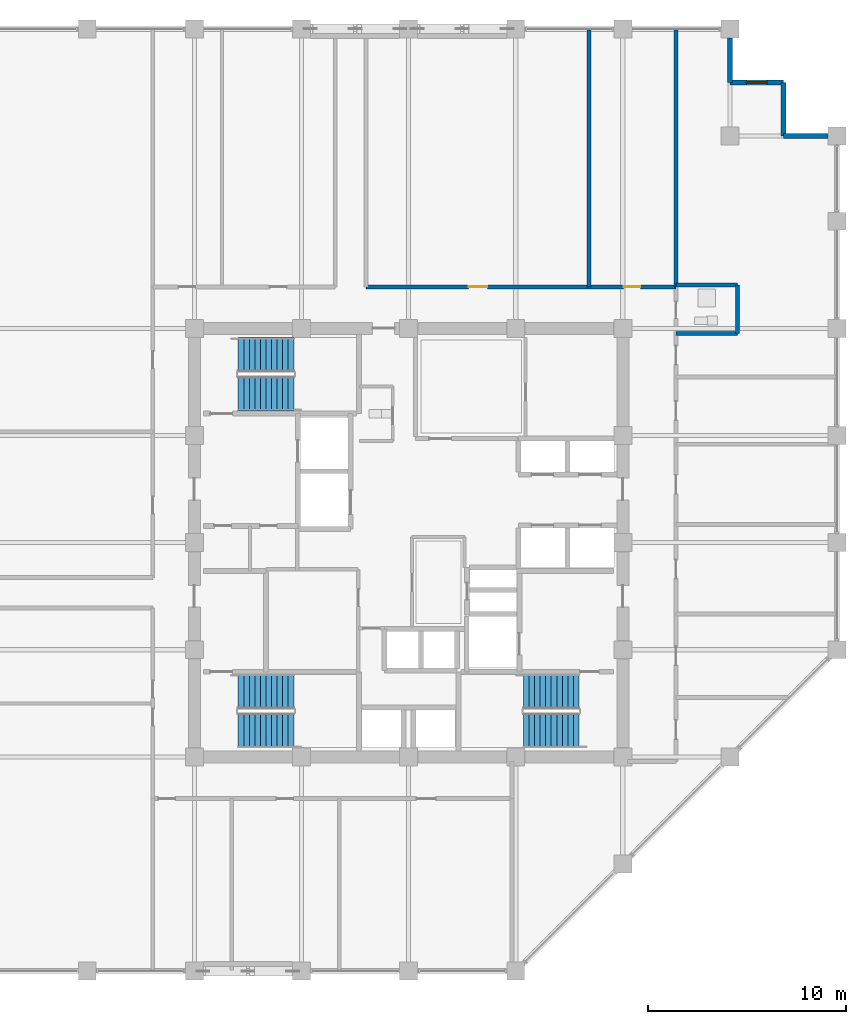
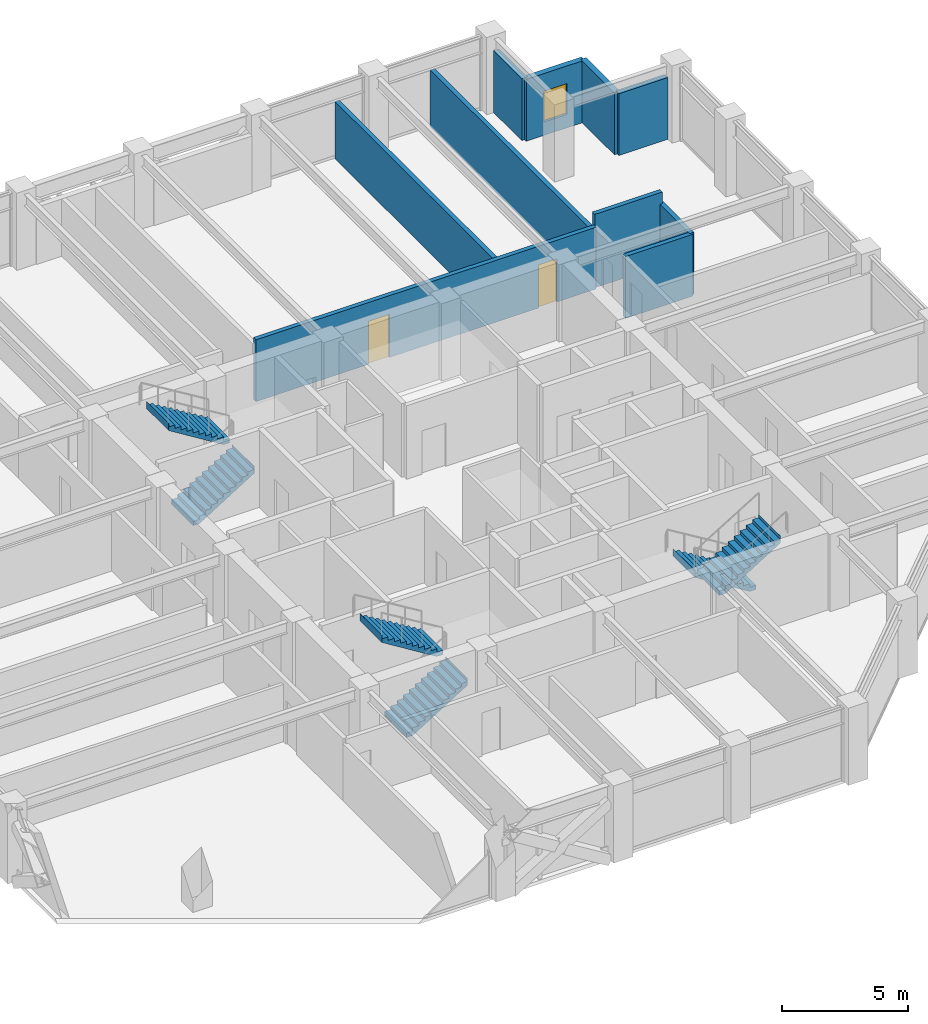
# One storey, part 30 of 32: 10 walls, 6 stair flights, 2 doors, 1 window, 3 openings, 3 elements without a shape of their own.
"""IFC4 building model written with IfcOpenShell, lengths in metres."""

from ifc_helpers import new_model, si_unit, direction, frame, frame_2d, origin, place, context, subcontext, project, spatial, polyline, rectangle, outline, extrude, material, layer, layer_set, type_object, element, fill, aggregate, save


model = new_model("IFC4")

# Units and contexts
model_context = context("Model", 3, precision=1e-05, world=origin(), true_north=direction((0.0, 1.0)))
body_context = subcontext(model_context, "Body", "Model", "MODEL_VIEW")
ifc_project = project(units=[si_unit("LENGTHUNIT", "METRE"), si_unit("AREAUNIT", "SQUARE_METRE"), si_unit("VOLUMEUNIT", "CUBIC_METRE"), si_unit("PLANEANGLEUNIT", "RADIAN"), si_unit("MASSUNIT", "GRAM", prefix="KILO")], contexts=[model_context])

# Site, building, storey
site_placement = place(None, origin())
site = spatial("IfcSite", under=ifc_project, at=site_placement, CompositionType="ELEMENT")
building_placement = place(site_placement, origin())
building = spatial("IfcBuilding", under=site, at=building_placement, Name="Surkhivell Harbour Commons", CompositionType="ELEMENT")
storey_placement = place(building_placement, frame((0.0, 0.0, 204.75)))
storey = spatial("IfcBuildingStorey", under=building, at=storey_placement, Name="L53", CompositionType="ELEMENT", Elevation=204.75)

# Walls
ifc_material_1 = material(Name="Pale-metal insulated precast concrete C45/55", Category="concrete")
ifc_layer_1 = layer(ifc_material_1, 0.260009765625)
ifc_layer_set_1 = layer_set([ifc_layer_1], Name="Pale-metal insulated precast concrete C45/55")
wall_type_1 = type_object("IfcWallType", Name="WAL-EXT-MTL260", PredefinedType="STANDARD", material=ifc_layer_set_1)
wall_1_placement = place(storey_placement, frame((21.152099609375, 20.5, 0.0), z_axis=(0.0, 0.0, 1.0), x_axis=(-1.0, 0.0, 0.0)))
element("IfcWall", 1, at=wall_1_placement, inside=storey, type_object=wall_type_1, Name="L53 Serrated Corner Facade Wall 03", PredefinedType="STANDARD", context=body_context, shape_type="SweptSolid", body=[
    extrude(rectangle(XDim=2.252197265625, YDim=0.260009765625, at=frame_2d((1.1259765625, 0.0))), origin(), (0.0, 0.0, 1.0), 3.006103515625),
])
wall_2_placement = place(storey_placement, frame((18.89990234375, 20.5, 0.0), z_axis=(0.0, 0.0, 1.0), x_axis=(0.0, 1.0, 0.0)))
element("IfcWall", 2, at=wall_2_placement, inside=storey, type_object=wall_type_1, Name="L53 Serrated Corner Facade Wall 04", PredefinedType="STANDARD", context=body_context, shape_type="SweptSolid", body=[
    extrude(rectangle(XDim=2.699951171875, YDim=0.260009765625, at=frame_2d((1.35009765625, 0.0))), origin(), (0.0, 0.0, 1.0), 3.006103515625),
])

# Wall, opening, window
wall_3_placement = place(storey_placement, frame((18.89990234375, 23.199951171875, 0.0), z_axis=(0.0, 0.0, 1.0), x_axis=(-1.0, 0.0, 0.0)))
wall_3 = element("IfcWall", 3, at=wall_3_placement, inside=storey, type_object=wall_type_1, Name="L53 Serrated Corner Facade Wall 05", PredefinedType="STANDARD", context=body_context, shape_type="SweptSolid", body=[
    extrude(rectangle(XDim=2.699951171875, YDim=0.260009765625, at=frame_2d((1.35009765625, 0.0))), origin(), (0.0, 0.0, 1.0), 3.006103515625),
])
opening_1_placement = place(wall_3_placement, frame((0.824951171875, 0.0, 0.64990234375)))
opening_1 = element("IfcOpeningElement", 4, at=opening_1_placement, cuts=wall_3, Name="Opening WN-11", PredefinedType="OPENING", context=body_context, shape_type="SweptSolid", body=[
    extrude(rectangle(XDim=1.050048828125, YDim=1.5, at=frame_2d((0.52490234375, 0.75))), frame((0.0, 0.139892578125, 0.0), z_axis=(0.0, -1.0, 0.0), x_axis=(1.0, 0.0, 0.0)), (0.0, 0.0, 1.0), 0.280029296875),
])
ifc_material_2 = material(Name="Thermal-break aluminium frame and double low-E glazing", Category="aluminium")
window_type = type_object("IfcWindowType", Name="WIN-SER-1050x1500", PartitioningType="SINGLE_PANEL", PredefinedType="WINDOW", material=ifc_material_2)
window_placement = place(opening_1_placement, origin())
window = element("IfcWindow", 5, at=window_placement, inside=storey, type_object=window_type, Name="L53 Serrated Alcove Window 05", OverallHeight=1.5, OverallWidth=1.050048828125, PartitioningType="SINGLE_PANEL", PredefinedType="WINDOW", context=body_context, shape_type="SweptSolid", body=[
    extrude(rectangle(XDim=1.050048828125, YDim=1.5, at=frame_2d((0.52490234375, 0.75))), frame((0.0, 0.030029296875, 0.0), z_axis=(0.0, -1.0, 0.0), x_axis=(1.0, 0.0, 0.0)), (0.0, 0.0, 1.0), 0.06005859375),
])
fill(opening_1, window)

# Walls
wall_4_placement = place(storey_placement, frame((16.199951171875, 23.199951171875, 0.0), z_axis=(0.0, 0.0, 1.0), x_axis=(0.0, 1.0, 0.0)))
element("IfcWall", 6, at=wall_4_placement, inside=storey, type_object=wall_type_1, Name="L53 Serrated Corner Facade Wall 06", PredefinedType="STANDARD", context=body_context, shape_type="SweptSolid", body=[
    extrude(rectangle(XDim=2.251953125, YDim=0.260009765625, at=frame_2d((1.1259765625, 0.0))), origin(), (0.0, 0.0, 1.0), 3.006103515625),
])
ifc_material_3 = material(Name="Autoclaved aerated concrete blockwork and fire plaster", Category="masonry")
ifc_layer_2 = layer(ifc_material_3, 0.199951171875)
ifc_layer_set_2 = layer_set([ifc_layer_2], Name="Autoclaved aerated concrete blockwork and fire plaster")
wall_type_2 = type_object("IfcWallType", Name="WAL-INT-200", PredefinedType="PARTITIONING", material=ifc_layer_set_2)
wall_5_placement = place(storey_placement, frame((13.47998046875, 12.89990234375, 0.0), z_axis=(0.0, 0.0, 1.0), x_axis=(0.0, 1.0, 0.0)))
element("IfcWall", 7, at=wall_5_placement, inside=storey, type_object=wall_type_2, Name="L53 North-East Corner Wall", PredefinedType="PARTITIONING", context=body_context, shape_type="SweptSolid", body=[
    extrude(rectangle(XDim=12.940185546875, YDim=0.199951171875, at=frame_2d((6.47021484375, 0.0))), origin(), (0.0, 0.0, 1.0), 2.780029296875),
])

# Wall, openings, doors
wall_6_placement = place(storey_placement, frame((-2.14990234375, 12.89990234375, 0.0), z_axis=(0.0, 0.0, 1.0), x_axis=(1.0, 0.0, 0.0)))
wall_6 = element("IfcWall", 8, at=wall_6_placement, inside=storey, type_object=wall_type_2, Name="L53 Corridor North-East Wall", PredefinedType="PARTITIONING", context=body_context, shape_type="SweptSolid", body=[
    extrude(rectangle(XDim=15.6298828125, YDim=0.199951171875, at=frame_2d((7.81494140625, 0.0))), origin(), (0.0, 0.0, 1.0), 3.006103515625),
])
opening_2_placement = place(wall_6_placement, frame((5.175048828125, 0.0, 0.0)))
opening_2 = element("IfcOpeningElement", 9, at=opening_2_placement, cuts=wall_6, Name="Opening ID-4", PredefinedType="OPENING", context=body_context, shape_type="SweptSolid", body=[
    extrude(rectangle(XDim=0.949951171875, YDim=2.10009765625, at=frame_2d((0.47509765625, 1.050048828125))), frame((0.0, 0.10986328125, 0.0), z_axis=(0.0, -1.0, 0.0), x_axis=(1.0, 0.0, 0.0)), (0.0, 0.0, 1.0), 0.219970703125),
])
opening_3_placement = place(wall_6_placement, frame((12.989990234375, 0.0, 0.0)))
opening_3 = element("IfcOpeningElement", 10, at=opening_3_placement, cuts=wall_6, Name="Opening ID-6", PredefinedType="OPENING", context=body_context, shape_type="SweptSolid", body=[
    extrude(rectangle(XDim=0.85009765625, YDim=2.10009765625, at=frame_2d((0.425048828125, 1.050048828125))), frame((0.0, 0.10986328125, 0.0), z_axis=(0.0, -1.0, 0.0), x_axis=(1.0, 0.0, 0.0)), (0.0, 0.0, 1.0), 0.219970703125),
])
ifc_material_4 = material(Name="Hardwood-veneered fire-rated door leaf", Category="wood")
door_type_1 = type_object("IfcDoorType", Name="DOR-FD30-850", OperationType="NOTDEFINED", PredefinedType="DOOR", material=ifc_material_4)
door_1_placement = place(opening_3_placement, origin())
door_1 = element("IfcDoor", 11, at=door_1_placement, inside=storey, type_object=door_type_1, Name="L53 Resident Advisory Reception Desk North-East Door", OperationType="SINGLE_SWING_RIGHT", OverallHeight=2.10009765625, OverallWidth=0.85009765625, PredefinedType="DOOR", context=body_context, shape_type="SweptSolid", body=[
    extrude(rectangle(XDim=0.85009765625, YDim=2.10009765625, at=frame_2d((0.425048828125, 1.050048828125))), frame((0.0, 0.02490234375, 0.0), z_axis=(0.0, -1.0, 0.0), x_axis=(1.0, 0.0, 0.0)), (0.0, 0.0, 1.0), 0.050048828125),
])
fill(opening_3, door_1)
door_type_2 = type_object("IfcDoorType", Name="DOR-FD60-950", OperationType="NOTDEFINED", PredefinedType="DOOR", material=ifc_material_4)
door_2_placement = place(opening_2_placement, origin())
door_2 = element("IfcDoor", 12, at=door_2_placement, inside=storey, type_object=door_type_2, Name="L53 Zone Concierge Reception Foyer North-East Door", OperationType="SINGLE_SWING_LEFT", OverallHeight=2.10009765625, OverallWidth=0.949951171875, PredefinedType="DOOR", context=body_context, shape_type="SweptSolid", body=[
    extrude(rectangle(XDim=0.949951171875, YDim=2.10009765625, at=frame_2d((0.47509765625, 1.050048828125))), frame((0.0, 0.02490234375, 0.0), z_axis=(0.0, -1.0, 0.0), x_axis=(1.0, 0.0, 0.0)), (0.0, 0.0, 1.0), 0.050048828125),
])
fill(opening_2, door_2)

# Walls
wall_7_placement = place(storey_placement, frame((16.580078125, 10.550048828125, 0.0), z_axis=(0.0, 0.0, 1.0), x_axis=(0.0, 1.0, 0.0)))
element("IfcWall", 13, at=wall_7_placement, inside=storey, type_object=wall_type_2, Name="L53 East Partition BTHB", PredefinedType="PARTITIONING", context=body_context, shape_type="SweptSolid", body=[
    extrude(rectangle(XDim=2.449951171875, YDim=0.199951171875, at=frame_2d((1.22509765625, 0.0))), origin(), (0.0, 0.0, 1.0), 3.006103515625),
])
wall_8_placement = place(storey_placement, frame((13.47998046875, 13.0, 0.0), z_axis=(0.0, 0.0, 1.0), x_axis=(1.0, 0.0, 0.0)))
element("IfcWall", 14, at=wall_8_placement, inside=storey, type_object=wall_type_2, Name="L53 East Partition BTHN", PredefinedType="PARTITIONING", context=body_context, shape_type="SweptSolid", body=[
    extrude(rectangle(XDim=3.10009765625, YDim=0.199951171875, at=frame_2d((1.550048828125, 0.0))), origin(), (0.0, 0.0, 1.0), 3.570068359375),
])
wall_9_placement = place(storey_placement, frame((13.47998046875, 10.550048828125, 0.0), z_axis=(0.0, 0.0, 1.0), x_axis=(1.0, 0.0, 0.0)))
element("IfcWall", 15, at=wall_9_placement, inside=storey, type_object=wall_type_2, Name="L53 East Partition BTHS", PredefinedType="PARTITIONING", context=body_context, shape_type="SweptSolid", body=[
    extrude(rectangle(XDim=3.10009765625, YDim=0.199951171875, at=frame_2d((1.550048828125, 0.0))), origin(), (0.0, 0.0, 1.0), 3.006103515625),
])
wall_10_placement = place(storey_placement, frame((9.10009765625, 12.89990234375, 0.0), z_axis=(0.0, 0.0, 1.0), x_axis=(0.0, 1.0, 0.0)))
element("IfcWall", 16, at=wall_10_placement, inside=storey, type_object=wall_type_2, Name="L53 North-East Partition P1", PredefinedType="PARTITIONING", context=body_context, shape_type="SweptSolid", body=[
    extrude(rectangle(XDim=12.940185546875, YDim=0.199951171875, at=frame_2d((6.47021484375, 0.0))), origin(), (0.0, 0.0, 1.0), 2.780029296875),
])

# Stair, stair flights
ifc_material_5 = material(Name="Precast concrete C45/55", Category="concrete")
stair_type = type_object("IfcStairType", Name="STR-DL-375", PredefinedType="HALF_TURN_STAIR", material=ifc_material_5)
stair_1_placement = place(storey_placement, origin())
stair_1 = element("IfcStair", 17, at=stair_1_placement, inside=storey, type_object=stair_type, Name="L53 Core Exit Stair ST1", PredefinedType="HALF_TURN_STAIR")
stair_flight_type = type_object("IfcStairFlightType", Name="STF-DL-375", PredefinedType="STRAIGHT", material=ifc_material_5)
stair_flight_1_placement = place(storey_placement, frame((-8.590087890625, 7.514892578125, 0.0), z_axis=(0.0, 0.0, 1.0), x_axis=(1.0, 0.0, 0.0)))
stair_flight_1 = element("IfcStairFlight", 18, at=stair_flight_1_placement, type_object=stair_flight_type, Name="ST1 flight 1", NumberOfRisers=11, NumberOfTreads=10, PredefinedType="STRAIGHT", RiserHeight=0.170454545, TreadLength=0.28, context=body_context, shape_type="SweptSolid", body=[
    extrude(outline(polyline([(-0.0029296875, -0.034912109375), (-0.0029296875, 0.0), (0.0, 0.0), (0.0, 0.17041015625), (0.280029296875, 0.17041015625), (0.280029296875, 0.3408203125), (0.56005859375, 0.3408203125), (0.56005859375, 0.511474609375), (0.840087890625, 0.511474609375), (0.840087890625, 0.681884765625), (1.1201171875, 0.681884765625), (1.1201171875, 0.852294921875), (1.39990234375, 0.852294921875), (1.39990234375, 1.022705078125), (1.679931640625, 1.022705078125), (1.679931640625, 1.193115234375), (1.9599609375, 1.193115234375), (1.9599609375, 1.363525390625), (2.239990234375, 1.363525390625), (2.239990234375, 1.5341796875), (2.52001953125, 1.5341796875), (2.52001953125, 1.70458984375), (2.800048828125, 1.70458984375), (2.800048828125, 1.875), (2.802978515625, 1.875), (2.802978515625, 1.529052734375), (0.288330078125, -0.034912109375), (-0.0029296875, -0.034912109375)])), frame((0.0, 0.875, 0.0), z_axis=(0.0, -1.0, 0.0), x_axis=(1.0, 0.0, 0.0)), (0.0, 0.0, 1.0), 1.75),
])
stair_flight_2_placement = place(storey_placement, frame((-5.7900390625, 9.465087890625, 1.875), z_axis=(0.0, 0.0, 1.0), x_axis=(-1.0, 0.0, 0.0)))
stair_flight_2 = element("IfcStairFlight", 19, at=stair_flight_2_placement, type_object=stair_flight_type, Name="ST1 flight 2", NumberOfRisers=11, NumberOfTreads=10, PredefinedType="STRAIGHT", RiserHeight=0.170454545, TreadLength=0.28, context=body_context, shape_type="SweptSolid", body=[
    extrude(outline(polyline([(-0.0029296875, -0.034912109375), (-0.0029296875, 0.0), (0.0, 0.0), (0.0, 0.17041015625), (0.280029296875, 0.17041015625), (0.280029296875, 0.3408203125), (0.56005859375, 0.3408203125), (0.56005859375, 0.511474609375), (0.840087890625, 0.511474609375), (0.840087890625, 0.681884765625), (1.1201171875, 0.681884765625), (1.1201171875, 0.852294921875), (1.39990234375, 0.852294921875), (1.39990234375, 1.022705078125), (1.679931640625, 1.022705078125), (1.679931640625, 1.193115234375), (1.9599609375, 1.193115234375), (1.9599609375, 1.363525390625), (2.239990234375, 1.363525390625), (2.239990234375, 1.5341796875), (2.52001953125, 1.5341796875), (2.52001953125, 1.70458984375), (2.800048828125, 1.70458984375), (2.800048828125, 1.875), (2.802978515625, 1.875), (2.802978515625, 1.529052734375), (0.288330078125, -0.034912109375), (-0.0029296875, -0.034912109375)])), frame((0.0, 0.875, 0.0), z_axis=(0.0, -1.0, 0.0), x_axis=(1.0, 0.0, 0.0)), (0.0, 0.0, 1.0), 1.75),
])
aggregate(stair_1, [stair_flight_1, stair_flight_2])

stair_2_placement = place(storey_placement, origin())
stair_2 = element("IfcStair", 20, at=stair_2_placement, inside=storey, type_object=stair_type, Name="L53 Core Exit Stair ST2", PredefinedType="HALF_TURN_STAIR")
stair_flight_3_placement = place(storey_placement, frame((8.590087890625, -7.514892578125, 0.0), z_axis=(0.0, 0.0, 1.0), x_axis=(-1.0, 0.0, 0.0)))
stair_flight_3 = element("IfcStairFlight", 21, at=stair_flight_3_placement, type_object=stair_flight_type, Name="ST2 flight 1", NumberOfRisers=11, NumberOfTreads=10, PredefinedType="STRAIGHT", RiserHeight=0.170454545, TreadLength=0.28, context=body_context, shape_type="SweptSolid", body=[
    extrude(outline(polyline([(-0.0029296875, -0.034912109375), (-0.0029296875, 0.0), (0.0, 0.0), (0.0, 0.17041015625), (0.280029296875, 0.17041015625), (0.280029296875, 0.3408203125), (0.56005859375, 0.3408203125), (0.56005859375, 0.511474609375), (0.840087890625, 0.511474609375), (0.840087890625, 0.681884765625), (1.1201171875, 0.681884765625), (1.1201171875, 0.852294921875), (1.39990234375, 0.852294921875), (1.39990234375, 1.022705078125), (1.679931640625, 1.022705078125), (1.679931640625, 1.193115234375), (1.9599609375, 1.193115234375), (1.9599609375, 1.363525390625), (2.239990234375, 1.363525390625), (2.239990234375, 1.5341796875), (2.52001953125, 1.5341796875), (2.52001953125, 1.70458984375), (2.800048828125, 1.70458984375), (2.800048828125, 1.875), (2.802978515625, 1.875), (2.802978515625, 1.529052734375), (0.288330078125, -0.034912109375), (-0.0029296875, -0.034912109375)])), frame((0.0, 0.875, 0.0), z_axis=(0.0, -1.0, 0.0), x_axis=(1.0, 0.0, 0.0)), (0.0, 0.0, 1.0), 1.75),
])
stair_flight_4_placement = place(storey_placement, frame((5.7900390625, -9.465087890625, 1.875), z_axis=(0.0, 0.0, 1.0), x_axis=(1.0, 0.0, 0.0)))
stair_flight_4 = element("IfcStairFlight", 22, at=stair_flight_4_placement, type_object=stair_flight_type, Name="ST2 flight 2", NumberOfRisers=11, NumberOfTreads=10, PredefinedType="STRAIGHT", RiserHeight=0.170454545, TreadLength=0.28, context=body_context, shape_type="SweptSolid", body=[
    extrude(outline(polyline([(-0.0029296875, -0.034912109375), (-0.0029296875, 0.0), (0.0, 0.0), (0.0, 0.17041015625), (0.280029296875, 0.17041015625), (0.280029296875, 0.3408203125), (0.56005859375, 0.3408203125), (0.56005859375, 0.511474609375), (0.840087890625, 0.511474609375), (0.840087890625, 0.681884765625), (1.1201171875, 0.681884765625), (1.1201171875, 0.852294921875), (1.39990234375, 0.852294921875), (1.39990234375, 1.022705078125), (1.679931640625, 1.022705078125), (1.679931640625, 1.193115234375), (1.9599609375, 1.193115234375), (1.9599609375, 1.363525390625), (2.239990234375, 1.363525390625), (2.239990234375, 1.5341796875), (2.52001953125, 1.5341796875), (2.52001953125, 1.70458984375), (2.800048828125, 1.70458984375), (2.800048828125, 1.875), (2.802978515625, 1.875), (2.802978515625, 1.529052734375), (0.288330078125, -0.034912109375), (-0.0029296875, -0.034912109375)])), frame((0.0, 0.875, 0.0), z_axis=(0.0, -1.0, 0.0), x_axis=(1.0, 0.0, 0.0)), (0.0, 0.0, 1.0), 1.75),
])
aggregate(stair_2, [stair_flight_3, stair_flight_4])

stair_3_placement = place(storey_placement, origin())
stair_3 = element("IfcStair", 23, at=stair_3_placement, inside=storey, type_object=stair_type, Name="L53 Core Exit Stair ST3", PredefinedType="HALF_TURN_STAIR")
stair_flight_5_placement = place(storey_placement, frame((-8.590087890625, -9.465087890625, 0.0), z_axis=(0.0, 0.0, 1.0), x_axis=(1.0, 0.0, 0.0)))
stair_flight_5 = element("IfcStairFlight", 24, at=stair_flight_5_placement, type_object=stair_flight_type, Name="ST3 flight 1", NumberOfRisers=11, NumberOfTreads=10, PredefinedType="STRAIGHT", RiserHeight=0.170454545, TreadLength=0.28, context=body_context, shape_type="SweptSolid", body=[
    extrude(outline(polyline([(-0.0029296875, -0.034912109375), (-0.0029296875, 0.0), (0.0, 0.0), (0.0, 0.17041015625), (0.280029296875, 0.17041015625), (0.280029296875, 0.3408203125), (0.56005859375, 0.3408203125), (0.56005859375, 0.511474609375), (0.840087890625, 0.511474609375), (0.840087890625, 0.681884765625), (1.1201171875, 0.681884765625), (1.1201171875, 0.852294921875), (1.39990234375, 0.852294921875), (1.39990234375, 1.022705078125), (1.679931640625, 1.022705078125), (1.679931640625, 1.193115234375), (1.9599609375, 1.193115234375), (1.9599609375, 1.363525390625), (2.239990234375, 1.363525390625), (2.239990234375, 1.5341796875), (2.52001953125, 1.5341796875), (2.52001953125, 1.70458984375), (2.800048828125, 1.70458984375), (2.800048828125, 1.875), (2.802978515625, 1.875), (2.802978515625, 1.529052734375), (0.288330078125, -0.034912109375), (-0.0029296875, -0.034912109375)])), frame((0.0, 0.875, 0.0), z_axis=(0.0, -1.0, 0.0), x_axis=(1.0, 0.0, 0.0)), (0.0, 0.0, 1.0), 1.75),
])
stair_flight_6_placement = place(storey_placement, frame((-5.7900390625, -7.514892578125, 1.875), z_axis=(0.0, 0.0, 1.0), x_axis=(-1.0, 0.0, 0.0)))
stair_flight_6 = element("IfcStairFlight", 25, at=stair_flight_6_placement, type_object=stair_flight_type, Name="ST3 flight 2", NumberOfRisers=11, NumberOfTreads=10, PredefinedType="STRAIGHT", RiserHeight=0.170454545, TreadLength=0.28, context=body_context, shape_type="SweptSolid", body=[
    extrude(outline(polyline([(-0.0029296875, -0.034912109375), (-0.0029296875, 0.0), (0.0, 0.0), (0.0, 0.17041015625), (0.280029296875, 0.17041015625), (0.280029296875, 0.3408203125), (0.56005859375, 0.3408203125), (0.56005859375, 0.511474609375), (0.840087890625, 0.511474609375), (0.840087890625, 0.681884765625), (1.1201171875, 0.681884765625), (1.1201171875, 0.852294921875), (1.39990234375, 0.852294921875), (1.39990234375, 1.022705078125), (1.679931640625, 1.022705078125), (1.679931640625, 1.193115234375), (1.9599609375, 1.193115234375), (1.9599609375, 1.363525390625), (2.239990234375, 1.363525390625), (2.239990234375, 1.5341796875), (2.52001953125, 1.5341796875), (2.52001953125, 1.70458984375), (2.800048828125, 1.70458984375), (2.800048828125, 1.875), (2.802978515625, 1.875), (2.802978515625, 1.529052734375), (0.288330078125, -0.034912109375), (-0.0029296875, -0.034912109375)])), frame((0.0, 0.875, 0.0), z_axis=(0.0, -1.0, 0.0), x_axis=(1.0, 0.0, 0.0)), (0.0, 0.0, 1.0), 1.75),
])
aggregate(stair_3, [stair_flight_5, stair_flight_6])

save(model, "model.ifc")
